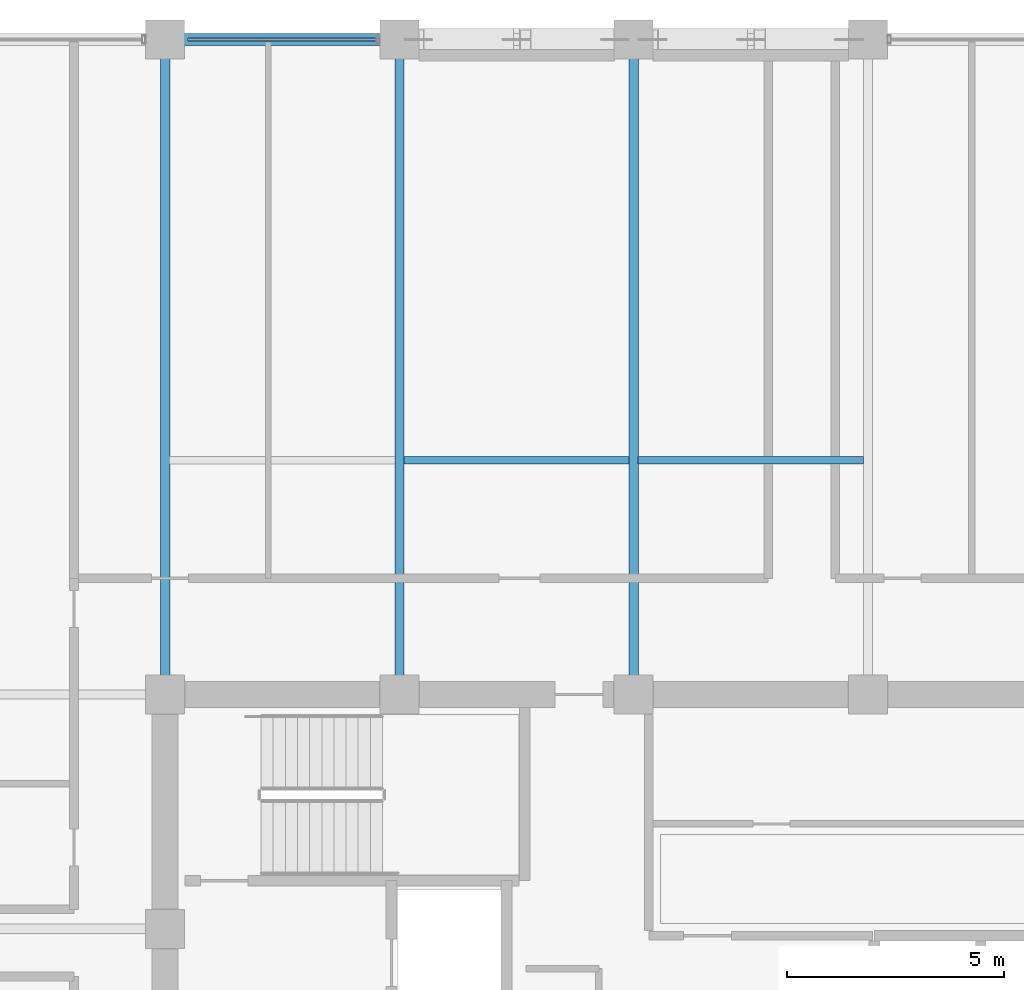
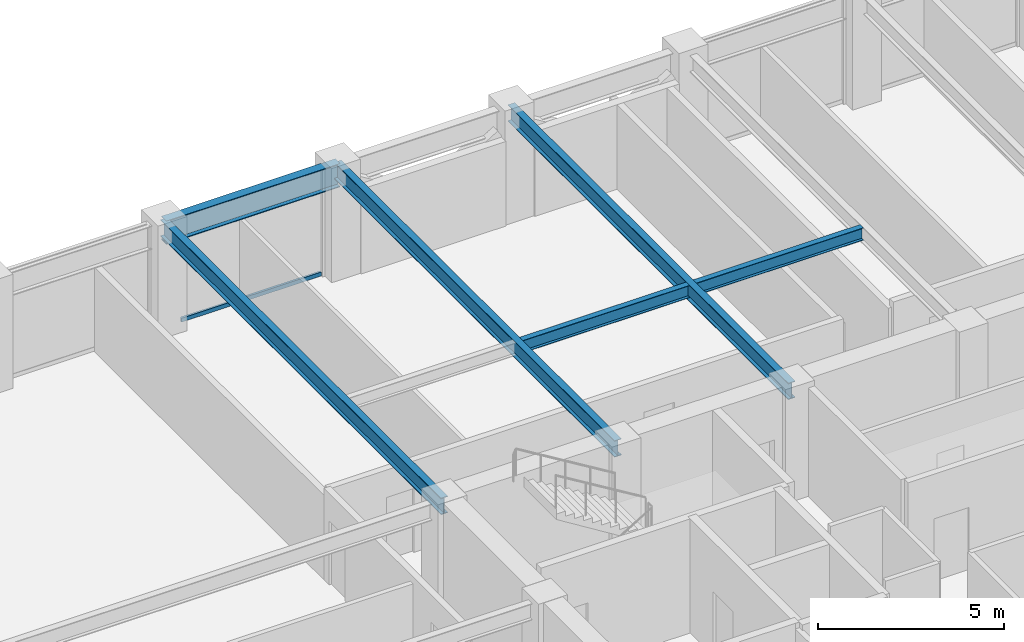
# One storey, part 20 of 32: 6 beams, 1 member, 1 element without a shape of its own.
"""IFC4 building model written with IfcOpenShell, lengths in metres."""

from ifc_helpers import new_model, si_unit, direction, frame, origin, origin_2d, place, context, subcontext, project, spatial, hollow_rectangle, i_section, extrude, material, layer, layer_set, material_profile, profile_set, type_object, element, aggregate, save


model = new_model("IFC4")

# Units and contexts
model_context = context("Model", 3, precision=1e-05, world=origin(), true_north=direction((0.0, 1.0)))
body_context = subcontext(model_context, "Body", "Model", "MODEL_VIEW")
ifc_project = project(units=[si_unit("LENGTHUNIT", "METRE"), si_unit("AREAUNIT", "SQUARE_METRE"), si_unit("VOLUMEUNIT", "CUBIC_METRE"), si_unit("PLANEANGLEUNIT", "RADIAN"), si_unit("MASSUNIT", "GRAM", prefix="KILO")], contexts=[model_context])

# Site, building, storey
site_placement = place(None, origin())
site = spatial("IfcSite", under=ifc_project, at=site_placement, CompositionType="ELEMENT")
building_placement = place(site_placement, origin())
building = spatial("IfcBuilding", under=site, at=building_placement, Name="Surkhivell Harbour Commons", CompositionType="ELEMENT")
storey_placement = place(building_placement, frame((0.0, 0.0, 201.0)))
storey = spatial("IfcBuildingStorey", under=building, at=storey_placement, Name="L52", CompositionType="ELEMENT", Elevation=201.0)

# Beams
ifc_material_1 = material(Name="Steel S355", Category="steel")
ifc_material_profile_1 = material_profile(ifc_material_1, i_section(OverallWidth=0.2119140625, OverallDepth=0.5439453125, WebThickness=0.0126953125, FlangeThickness=0.021240234375, at=origin_2d()), Name="UB533x210x122")
ifc_profile_set_1 = profile_set([ifc_material_profile_1], Name="Steel S355")
beam_type_1 = type_object("IfcBeamType", Name="BM-GRD-533A", PredefinedType="BEAM", material=ifc_profile_set_1)
for number, where, z_axis, x_axis, name in (
    (1, (-10.800048828125, 10.800048828125, 3.298095703125), (0.0, 1.0, 0.0), (-1.0, 0.0, 0.0), "L52 Floor Girder (-10.8,10.8)"),
    (2, (-5.39990234375, 10.800048828125, 3.298095703125), (0.0, 1.0, 0.0), (-1.0, 0.0, 0.0), "L52 Floor Girder (-5.4,10.8)"),
    (3, (0.0, 10.800048828125, 3.298095703125), (0.0, 1.0, 0.0), (-1.0, 0.0, 0.0), "L52 Floor Girder (0.0,10.8)"),
):
    element("IfcBeam", number, at=place(storey_placement, frame(where, z_axis=z_axis, x_axis=x_axis)), inside=storey, type_object=beam_type_1, Name=name, PredefinedType="BEAM", context=body_context, shape_type="SweptSolid", body=[
        extrude(i_section(OverallWidth=0.2119140625, OverallDepth=0.5439453125, WebThickness=0.0126953125, FlangeThickness=0.021240234375, at=origin_2d()), origin(), (0.0, 0.0, 1.0), 15.099853515625),
    ])
ifc_material_profile_2 = material_profile(ifc_material_1, i_section(OverallWidth=0.178955078125, OverallDepth=0.408935546875, WebThickness=0.0087890625, FlangeThickness=0.014404296875, at=origin_2d()), Name="UB406x178x67")
ifc_profile_set_2 = profile_set([ifc_material_profile_2], Name="Steel S355")
beam_type_2 = type_object("IfcBeamType", Name="BM-JST-406", PredefinedType="JOIST", material=ifc_profile_set_2)
for number, where, z_axis, x_axis, name in (
    (4, (-5.2958984375, 16.199951171875, 3.365478515625), (1.0, 0.0, 0.0), (0.0, 1.0, 0.0), "L52 North Composite Joist (-5.4)"),
    (5, (0.10400390625, 16.199951171875, 3.365478515625), (1.0, 0.0, 0.0), (0.0, 1.0, 0.0), "L52 North Composite Joist (0.0)"),
):
    element("IfcBeam", number, at=place(storey_placement, frame(where, z_axis=z_axis, x_axis=x_axis)), inside=storey, type_object=beam_type_2, Name=name, PredefinedType="JOIST", context=body_context, shape_type="SweptSolid", body=[
        extrude(i_section(OverallWidth=0.178955078125, OverallDepth=0.408935546875, WebThickness=0.0087890625, FlangeThickness=0.014404296875, at=origin_2d()), origin(), (0.0, 0.0, 1.0), 5.19189453125),
    ])
ifc_material_profile_3 = material_profile(ifc_material_1, i_section(OverallWidth=0.26806640625, OverallDepth=0.77001953125, WebThickness=0.015625, FlangeThickness=0.025390625, at=origin_2d()), Name="UB762x267x197")
ifc_profile_set_3 = profile_set([ifc_material_profile_3], Name="Steel S355")
beam_type_3 = type_object("IfcBeamType", Name="BM-SPN-762", PredefinedType="SPANDREL", material=ifc_profile_set_3)
beam_placement = place(storey_placement, frame((-10.800048828125, 25.89990234375, 3.18505859375), z_axis=(1.0, 0.0, 0.0), x_axis=(0.0, 1.0, 0.0)))
element("IfcBeam", 6, at=beam_placement, inside=storey, type_object=beam_type_3, Name="L52 Tube Spandrel (-10.8,25.9)", PredefinedType="SPANDREL", context=body_context, shape_type="SweptSolid", body=[
    extrude(i_section(OverallWidth=0.26806640625, OverallDepth=0.77001953125, WebThickness=0.015625, FlangeThickness=0.025390625, at=origin_2d()), origin(), (0.0, 0.0, 1.0), 5.400146484375),
])

# Curtain wall, member
ifc_material_2 = material(Name="Anodised pale-metal aluminium and insulated glazing", Category="aluminium")
ifc_layer = layer(ifc_material_2, 0.18994140625)
ifc_layer_set = layer_set([ifc_layer], Name="Anodised pale-metal aluminium and insulated glazing")
curtain_wall_type = type_object("IfcCurtainWallType", Name="CW-SYS-Z3", PredefinedType="NOTDEFINED", material=ifc_layer_set)
curtain_wall_placement = place(storey_placement, origin())
curtain_wall = element("IfcCurtainWall", 7, at=curtain_wall_placement, inside=storey, type_object=curtain_wall_type, Name="L52 Curtain Wall CW-L52-E07S2", PredefinedType="NOTDEFINED")
ifc_material_3 = material(Name="Champagne anodised aluminium alloy 6063-T6", Category="aluminium")
ifc_material_profile_4 = material_profile(ifc_material_3, hollow_rectangle(XDim=0.070068359375, YDim=0.1298828125, WallThickness=0.00341796875, at=origin_2d()), Name="ALU-TRAN-70x130")
ifc_profile_set_4 = profile_set([ifc_material_profile_4], Name="Champagne anodised aluminium alloy 6063-T6")
member_type = type_object("IfcMemberType", Name="CWT-130", PredefinedType="USERDEFINED", material=ifc_profile_set_4)
member_placement = place(storey_placement, frame((-5.927001953125, 25.89990234375, 0.06494140625), z_axis=(-1.0, 0.0, 0.0), x_axis=(0.0, -1.0, 0.0)))
member = element("IfcMember", 8, at=member_placement, type_object=member_type, Name="CW-Z3 transom 1.1", ObjectType="TRANSOM", PredefinedType="USERDEFINED", context=body_context, shape_type="SweptSolid", body=[
    extrude(hollow_rectangle(XDim=0.070068359375, YDim=0.1298828125, WallThickness=0.00341796875, at=origin_2d()), origin(), (0.0, 0.0, 1.0), 4.345947265625),
])
aggregate(curtain_wall, [member])

save(model, "model.ifc")
